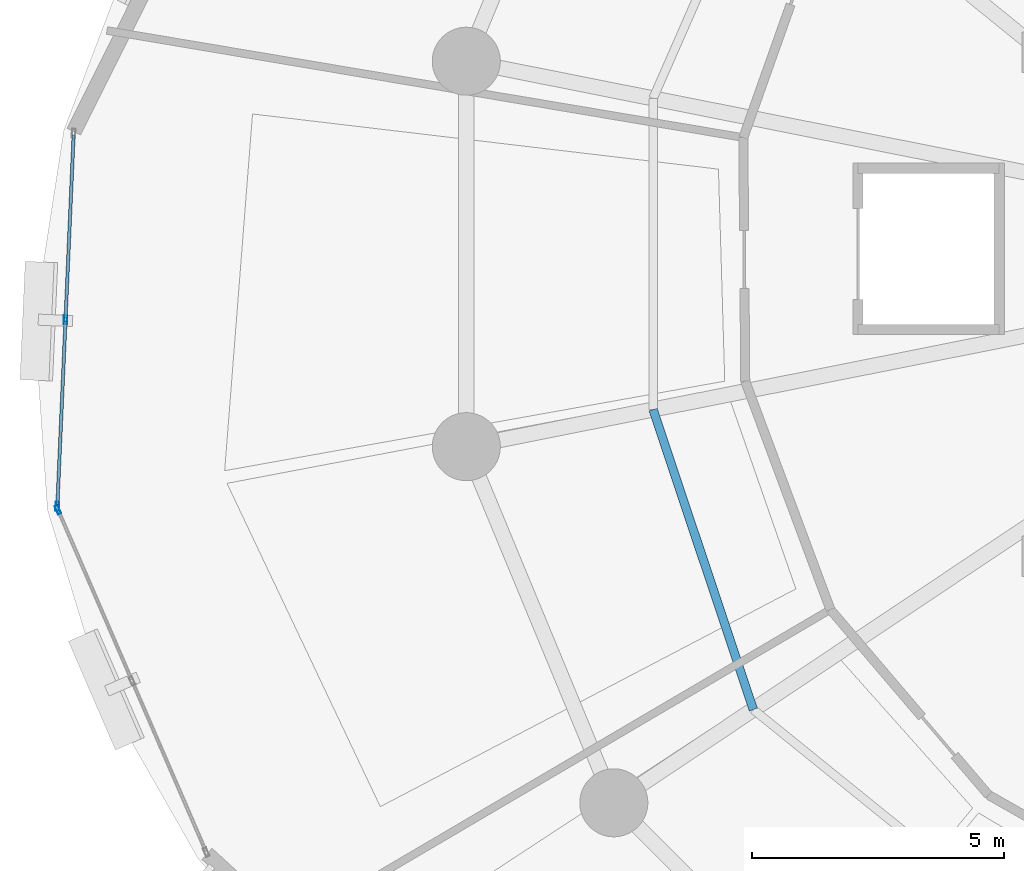
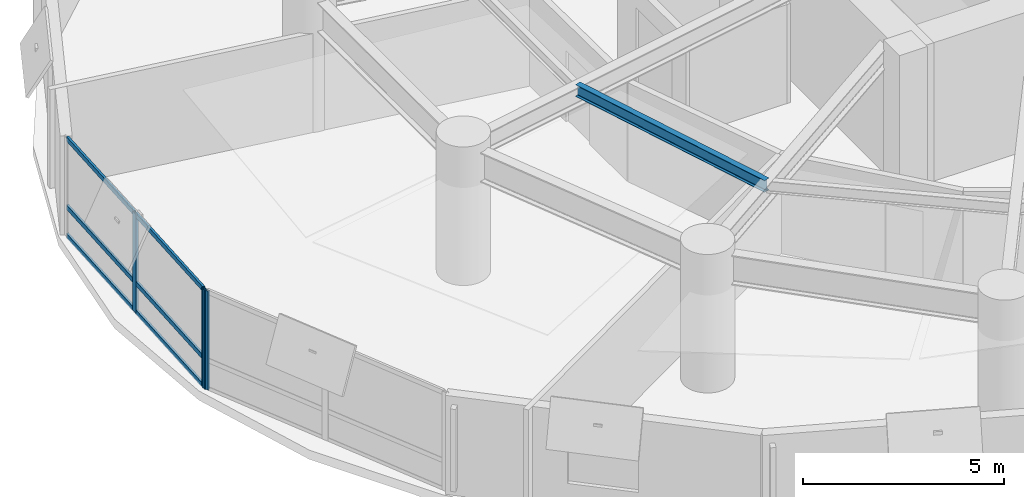
# One storey, part 4 of 17: 9 members, 1 beam, 2 elements without a shape of their own.
"""IFC4 building model written with IfcOpenShell, lengths in metres."""

import ifcopenshell
import ifcopenshell.guid

model = None  # the IFC model being written
_history = None  # IfcOwnerHistory: only IFC2X3 demands one
_inside = {}  # id of a spatial element -> (the spatial element, [elements in it])
_under = {}  # id of a project, library or spatial element -> (it, [spatial elements below it])
_declared = {}  # id of a project -> (the project, [libraries it declares])
_typed = {}  # id of a type object -> (the type object, [elements of that type])
_made_of = {}  # id of a material, layer set ... -> (it, [elements and type objects made of it])


def new_model(schema):
    """Start an empty IFC model of exactly this schema.

    Asked for "IFC4X3", IfcOpenShell would pick the latest addendum, in which some entities
    have other attributes; the version numbers below select the first issue.
    IFC2X3 requires an IfcOwnerHistory on every rooted entity: one is made here for all.
    """
    global model, _history
    if schema == "IFC4X3":
        model = ifcopenshell.file(schema_version=(4, 3, 0, 0))
    else:
        model = ifcopenshell.file(schema=schema)
    _inside.clear()
    _under.clear()
    _declared.clear()
    _typed.clear()
    _made_of.clear()
    _history = None
    if model.schema == "IFC2X3":
        org = make("IfcOrganization", Name="unknown")
        user = make(
            "IfcPersonAndOrganization",
            ThePerson=make("IfcPerson", FamilyName="unknown"),
            TheOrganization=org,
        )
        app = make(
            "IfcApplication",
            ApplicationDeveloper=org,
            Version="unknown",
            ApplicationFullName="unknown",
            ApplicationIdentifier="unknown",
        )
        _history = make(
            "IfcOwnerHistory",
            OwningUser=user,
            OwningApplication=app,
            ChangeAction="ADDED",
            CreationDate=0,
        )
    return model


def make(cls, **values):
    """One entity of the class cls with the attributes given. An attribute that is None is left unset."""
    return model.create_entity(
        cls, **{name: value for name, value in values.items() if value is not None}
    )


def rooted(cls, **values):
    """An entity with a GlobalId (a new one), such as an element, a storey or a relation."""
    return make(cls, GlobalId=ifcopenshell.guid.new(), OwnerHistory=_history, **values)


def si_unit(unit_type, name, prefix=None):
    """IfcSIUnit, for example si_unit("LENGTHUNIT", "METRE", prefix="MILLI")."""
    return make("IfcSIUnit", UnitType=unit_type, Prefix=prefix, Name=name)


def assignment(units):
    """IfcUnitAssignment: the units of a project."""
    return None if units is None else make("IfcUnitAssignment", Units=units)


def point(xyz):
    """IfcCartesianPoint."""
    return None if xyz is None else make("IfcCartesianPoint", Coordinates=xyz)


def direction(xyz):
    """IfcDirection."""
    return None if xyz is None else make("IfcDirection", DirectionRatios=xyz)


def frame(location, z_axis=None, x_axis=None):
    """IfcAxis2Placement3D, a coordinate frame: its origin and axes. An axis left out is left unset."""
    return make(
        "IfcAxis2Placement3D",
        Location=point(location),
        Axis=direction(z_axis),
        RefDirection=direction(x_axis),
    )


def frame_2d(location, x_axis=None):
    """IfcAxis2Placement2D, a coordinate frame in the plane: its origin and x axis."""
    return make(
        "IfcAxis2Placement2D", Location=point(location), RefDirection=direction(x_axis)
    )


def origin():
    """The frame at (0, 0, 0) with its axes left unset."""
    return frame((0.0, 0.0, 0.0))


def origin_2d():
    """The frame at (0, 0) in the plane with its x axis left unset."""
    return frame_2d((0.0, 0.0))


def place(relative_to, where):
    """IfcLocalPlacement: puts the frame where relative to a parent placement (None: the world)."""
    return make(
        "IfcLocalPlacement", PlacementRelTo=relative_to, RelativePlacement=where
    )


def context(
    kind, dimensions, precision=None, world=None, true_north=None, identifier=None
):
    """IfcGeometricRepresentationContext, for example the 3D "Model" context."""
    return make(
        "IfcGeometricRepresentationContext",
        ContextIdentifier=identifier,
        ContextType=kind,
        CoordinateSpaceDimension=dimensions,
        Precision=precision,
        WorldCoordinateSystem=world,
        TrueNorth=true_north,
    )


def subcontext(parent, identifier, kind, view, scale=None):
    """IfcGeometricRepresentationSubContext, for example "Body" below "Model"."""
    return make(
        "IfcGeometricRepresentationSubContext",
        ContextIdentifier=identifier,
        ContextType=kind,
        ParentContext=parent,
        TargetScale=scale,
        TargetView=view,
    )


def project(units=None, contexts=None):
    """IfcProject with its units and contexts."""
    return rooted(
        "IfcProject",
        Name="project",
        RepresentationContexts=contexts,
        UnitsInContext=assignment(units),
    )


def spatial(cls, under=None, at=None, **own):
    """A site, building, storey or space (cls), placed at a placement, below another one or the project."""
    s = rooted(cls, ObjectPlacement=at, **own)
    if under is not None:
        _under.setdefault(under.id(), (under, []))[1].append(s)
    return s


def profile(cls, at=None, kind="AREA", **sizes):
    """A parametric profile (cls). Its sizes go by their IFC names, for example OverallWidth=200.0."""
    return make(cls, ProfileType=kind, Position=at, **sizes)


def hollow_rectangle(**sizes):
    """IfcRectangleHollowProfileDef."""
    return profile("IfcRectangleHollowProfileDef", **sizes)


def i_section(**sizes):
    """IfcIShapeProfileDef."""
    return profile("IfcIShapeProfileDef", **sizes)


def extrude(swept, where, along, depth):
    """IfcExtrudedAreaSolid: the profile swept, set in the frame where, extruded along a direction by depth."""
    return make(
        "IfcExtrudedAreaSolid",
        SweptArea=swept,
        Position=where,
        ExtrudedDirection=direction(along),
        Depth=depth,
    )


def shape(context_of_items, identifier, shape_type, items):
    """IfcShapeRepresentation: the items that make up one representation, for example the "Body"."""
    return make(
        "IfcShapeRepresentation",
        ContextOfItems=context_of_items,
        RepresentationIdentifier=identifier,
        RepresentationType=shape_type,
        Items=items,
    )


def material(Name=None, Category=None):
    """IfcMaterial."""
    return make("IfcMaterial", Name=Name, Category=Category)


def layer(
    of_material, thickness, ventilated=None, Name=None, Category=None, Priority=None
):
    """IfcMaterialLayer: one layer of a wall or slab, of a material (None: an air gap)."""
    return make(
        "IfcMaterialLayer",
        Material=of_material,
        LayerThickness=thickness,
        IsVentilated=ventilated,
        Name=Name,
        Category=Category,
        Priority=Priority,
    )


def layer_set(layers, Name=None):
    """IfcMaterialLayerSet."""
    return make("IfcMaterialLayerSet", MaterialLayers=layers, LayerSetName=Name)


def material_profile(
    of_material, cross_section, Name=None, Category=None, Priority=None
):
    """IfcMaterialProfile: a cross section and its material."""
    return make(
        "IfcMaterialProfile",
        Name=Name,
        Material=of_material,
        Profile=cross_section,
        Priority=Priority,
        Category=Category,
    )


def profile_set(profiles, Name=None, composite=None):
    """IfcMaterialProfileSet."""
    return make(
        "IfcMaterialProfileSet",
        Name=Name,
        MaterialProfiles=profiles,
        CompositeProfile=composite,
    )


def made_of(thing, what):
    """Note that an element or type object is made of a material, layer set ...; save() writes the relation."""
    if what is not None:
        _made_of.setdefault(what.id(), (what, []))[1].append(thing)
    return thing


def type_object(cls, material=None, **own):
    """A type object (cls), such as IfcWallType, which elements share."""
    return made_of(rooted(cls, **own), material)


def element(
    cls,
    number,
    at=None,
    inside=None,
    cuts=None,
    type_object=None,
    material=None,
    context=None,
    identifier="Body",
    shape_type=None,
    held_by="IfcProductDefinitionShape",
    body=None,
    shapes=None,
    **own,
):
    """One element of the class cls, such as IfcWall. Its Tag is "e" and its number.

    at: its placement. inside: the storey or other place that contains it. cuts: it is an
    opening in that element (IfcRelVoidsElement). A single representation is given by context,
    identifier, shape_type and body (its items); several are given by shapes. held_by: the class
    of the entity that holds the representations. save() writes the other relations.
    """
    e = rooted(cls, Tag="e%d" % number, ObjectPlacement=at, **own)
    if body is not None:
        shapes = [shape(context, identifier, shape_type, body)]
    if shapes is not None:
        e.Representation = make(held_by, Representations=shapes)
    if inside is not None:
        _inside.setdefault(inside.id(), (inside, []))[1].append(e)
    if cuts is not None:
        rooted(
            "IfcRelVoidsElement", RelatingBuildingElement=cuts, RelatedOpeningElement=e
        )
    if type_object is not None:
        _typed.setdefault(type_object.id(), (type_object, []))[1].append(e)
    return made_of(e, material)


def aggregate(whole, parts):
    """IfcRelAggregates: a whole, such as a stair, and the parts it consists of."""
    return rooted("IfcRelAggregates", RelatingObject=whole, RelatedObjects=parts)


def save(model, path):
    """Write the relations noted so far, then the file.

    IfcRelAggregates (storeys below a building ...), IfcRelContainedInSpatialStructure (elements
    in a storey), IfcRelDefinesByType, IfcRelAssociatesMaterial and IfcRelDeclares: one each for
    every whole, place, type object, material and project.
    """
    for whole, parts in _under.values():
        aggregate(whole, parts)
    for where, things in _inside.values():
        rooted(
            "IfcRelContainedInSpatialStructure",
            RelatedElements=things,
            RelatingStructure=where,
        )
    for kind, things in _typed.values():
        rooted("IfcRelDefinesByType", RelatedObjects=things, RelatingType=kind)
    for what, things in _made_of.values():
        rooted("IfcRelAssociatesMaterial", RelatedObjects=things, RelatingMaterial=what)
    for by, libraries in _declared.values():
        rooted("IfcRelDeclares", RelatingContext=by, RelatedDefinitions=libraries)
    model.write(path)


model = new_model("IFC4")

# Units and contexts
model_context = context("Model", 3, precision=1e-05, world=origin(), true_north=direction((0.0, 1.0)))
body_context = subcontext(model_context, "Body", "Model", "MODEL_VIEW")
ifc_project = project(units=[si_unit("LENGTHUNIT", "METRE"), si_unit("AREAUNIT", "SQUARE_METRE"), si_unit("VOLUMEUNIT", "CUBIC_METRE"), si_unit("PLANEANGLEUNIT", "RADIAN"), si_unit("MASSUNIT", "GRAM", prefix="KILO"), si_unit("THERMODYNAMICTEMPERATUREUNIT", "KELVIN"), si_unit("POWERUNIT", "WATT")], contexts=[model_context])

# Site, building, storey
site_placement = place(None, origin())
site = spatial("IfcSite", under=ifc_project, at=site_placement, CompositionType="ELEMENT")
building_placement = place(site_placement, origin())
building = spatial("IfcBuilding", under=site, at=building_placement, Name="Ocrelia Relay Tower", CompositionType="ELEMENT")
storey_placement = place(building_placement, frame((0.0, 0.0, 76.199951171875)))
storey = spatial("IfcBuildingStorey", under=building, at=storey_placement, Name="L17", CompositionType="ELEMENT", Elevation=76.199951171875)

# Beam
ifc_material_1 = material(Name="Steel S355", Category="steel")
ifc_material_profile_1 = material_profile(ifc_material_1, i_section(OverallWidth=0.169921875, OverallDepth=0.360107421875, WebThickness=0.008056640625, FlangeThickness=0.0126953125, FilletRadius=0.01806640625, at=origin_2d()), Name="IPE 360")
ifc_profile_set_1 = profile_set([ifc_material_profile_1], Name="Steel S355")
beam_type = type_object("IfcBeamType", Name="BM-IPE360", PredefinedType="JOIST", material=ifc_profile_set_1)
beam_placement = place(storey_placement, frame((18.481689453125, 22.9130859375, 3.739990234375), z_axis=(0.317067865999, -0.948402851298, 0.0), x_axis=(0.948402851298, 0.317067865999, 0.0)))
element("IfcBeam", 1, at=beam_placement, inside=storey, type_object=beam_type, Name="L17 Secondary Floor Joist J09", PredefinedType="JOIST", context=body_context, shape_type="SweptSolid", body=[
    extrude(i_section(OverallWidth=0.169921875, OverallDepth=0.360107421875, WebThickness=0.008056640625, FlangeThickness=0.0126953125, FilletRadius=0.01806640625, at=origin_2d()), origin(), (0.0, 0.0, 1.0), 6.276123046875),
])

# Curtain wall, members
ifc_material_2 = material(Name="Aluminium and solar-control low-E glass", Category="aluminium")
ifc_layer = layer(ifc_material_2, 0.179931640625, Name="Aluminium and solar-control low-E glass")
ifc_layer_set = layer_set([ifc_layer], Name="Aluminium and solar-control low-E glass")
curtain_wall_type = type_object("IfcCurtainWallType", Name="CW-SYS-Z1-DATA", PredefinedType="NOTDEFINED", material=ifc_layer_set)
curtain_wall_1_placement = place(storey_placement, origin())
curtain_wall_1 = element("IfcCurtainWall", 2, at=curtain_wall_1_placement, inside=storey, type_object=curtain_wall_type, Name="L17 Elliptical Tower Curtain Wall Bay 09", PredefinedType="NOTDEFINED")
ifc_material_3 = material(Name="Anodised bronze aluminium", Category="aluminium")
ifc_material_profile_2 = material_profile(ifc_material_3, hollow_rectangle(XDim=0.070068359375, YDim=0.179931640625, WallThickness=0.006103515625, at=origin_2d()), Name="CW-MUL-180x70")
ifc_profile_set_2 = profile_set([ifc_material_profile_2], Name="Anodised bronze aluminium")
member_type_1 = type_object("IfcMemberType", Name="CW-SYS-Z1-DATA-MUL", PredefinedType="MULLION", material=ifc_profile_set_2)
member_1_placement = place(storey_placement, frame((6.82470703125, 24.69189453125, 0.0), z_axis=(0.0, 0.0, 1.0), x_axis=(0.999040470312, -0.04379656013, 0.0)))
member_1 = element("IfcMember", 3, at=member_1_placement, type_object=member_type_1, Name="CW-Z1 mullion 2", PredefinedType="MULLION", context=body_context, shape_type="SweptSolid", body=[
    extrude(hollow_rectangle(XDim=0.070068359375, YDim=0.179931640625, WallThickness=0.006103515625, at=origin_2d()), origin(), (0.0, 0.0, 1.0), 3.0),
])
member_2_placement = place(storey_placement, frame((6.66259765625, 20.99267578125, 0.0), z_axis=(0.0, 0.0, 1.0), x_axis=(0.999040470312, -0.04379656013, 0.0)))
member_2 = element("IfcMember", 4, at=member_2_placement, type_object=member_type_1, Name="CW-Z1 mullion 3", PredefinedType="MULLION", context=body_context, shape_type="SweptSolid", body=[
    extrude(hollow_rectangle(XDim=0.070068359375, YDim=0.179931640625, WallThickness=0.006103515625, at=origin_2d()), origin(), (0.0, 0.0, 1.0), 3.0),
])

# Curtain wall, member
curtain_wall_2_placement = place(storey_placement, origin())
curtain_wall_2 = element("IfcCurtainWall", 5, at=curtain_wall_2_placement, inside=storey, type_object=curtain_wall_type, Name="L17 Elliptical Tower Curtain Wall Bay 10", PredefinedType="NOTDEFINED")
member_3_placement = place(storey_placement, frame((6.675048828125, 20.925537109375, 0.0), z_axis=(0.0, 0.0, 1.0), x_axis=(0.917682954818, 0.397313471249, 0.0)))
member_3 = element("IfcMember", 6, at=member_3_placement, type_object=member_type_1, Name="CW-Z1 mullion 1", PredefinedType="MULLION", context=body_context, shape_type="SweptSolid", body=[
    extrude(hollow_rectangle(XDim=0.070068359375, YDim=0.179931640625, WallThickness=0.006103515625, at=origin_2d()), origin(), (0.0, 0.0, 1.0), 3.0),
])
aggregate(curtain_wall_2, [member_3])

# Member
ifc_material_profile_3 = material_profile(ifc_material_3, hollow_rectangle(XDim=0.06494140625, YDim=0.139892578125, WallThickness=0.0048828125, at=origin_2d()), Name="CW-TRN-140x65")
ifc_profile_set_3 = profile_set([ifc_material_profile_3], Name="Anodised bronze aluminium")
member_type_2 = type_object("IfcMemberType", Name="CW-SYS-Z1-DATA-TRN", PredefinedType="USERDEFINED", material=ifc_profile_set_3)
member_4_placement = place(storey_placement, frame((6.9853515625, 28.35595703125, 0.032470703125), z_axis=(-0.043752210644, -0.999042413546, 0.0), x_axis=(0.999042413546, -0.043752210644, 0.0)))
member_4 = element("IfcMember", 7, at=member_4_placement, type_object=member_type_2, Name="CW-Z1 transom 1.1", ObjectType="TRANSOM", PredefinedType="USERDEFINED", context=body_context, shape_type="SweptSolid", body=[
    extrude(hollow_rectangle(XDim=0.06494140625, YDim=0.139892578125, WallThickness=0.0048828125, at=origin_2d()), origin(), (0.0, 0.0, 1.0), 3.632568359375),
])

member_5_placement = place(storey_placement, frame((6.9853515625, 28.35595703125, 0.900146484375), z_axis=(-0.043752210644, -0.999042413546, 0.0), x_axis=(0.999042413546, -0.043752210644, 0.0)))
member_5 = element("IfcMember", 8, at=member_5_placement, type_object=member_type_2, Name="CW-Z1 transom 1.2", ObjectType="TRANSOM", PredefinedType="USERDEFINED", context=body_context, shape_type="SweptSolid", body=[
    extrude(hollow_rectangle(XDim=0.06494140625, YDim=0.139892578125, WallThickness=0.0048828125, at=origin_2d()), origin(), (0.0, 0.0, 1.0), 3.632568359375),
])

member_6_placement = place(storey_placement, frame((6.9853515625, 28.35595703125, 2.967529296875), z_axis=(-0.043752210644, -0.999042413546, 0.0), x_axis=(0.999042413546, -0.043752210644, 0.0)))
member_6 = element("IfcMember", 9, at=member_6_placement, type_object=member_type_2, Name="CW-Z1 transom 1.3", ObjectType="TRANSOM", PredefinedType="USERDEFINED", context=body_context, shape_type="SweptSolid", body=[
    extrude(hollow_rectangle(XDim=0.06494140625, YDim=0.139892578125, WallThickness=0.0048828125, at=origin_2d()), origin(), (0.0, 0.0, 1.0), 3.632568359375),
])

member_7_placement = place(storey_placement, frame((6.8232421875, 24.656982421875, 0.032470703125), z_axis=(-0.043816347433, -0.999039602667, 0.0), x_axis=(0.999039602667, -0.043816347433, 0.0)))
member_7 = element("IfcMember", 10, at=member_7_placement, type_object=member_type_2, Name="CW-Z1 transom 2.1", ObjectType="TRANSOM", PredefinedType="USERDEFINED", context=body_context, shape_type="SweptSolid", body=[
    extrude(hollow_rectangle(XDim=0.06494140625, YDim=0.139892578125, WallThickness=0.0048828125, at=origin_2d()), origin(), (0.0, 0.0, 1.0), 3.6328125),
])

member_8_placement = place(storey_placement, frame((6.8232421875, 24.656982421875, 0.900146484375), z_axis=(-0.043816347433, -0.999039602667, 0.0), x_axis=(0.999039602667, -0.043816347433, 0.0)))
member_8 = element("IfcMember", 11, at=member_8_placement, type_object=member_type_2, Name="CW-Z1 transom 2.2", ObjectType="TRANSOM", PredefinedType="USERDEFINED", context=body_context, shape_type="SweptSolid", body=[
    extrude(hollow_rectangle(XDim=0.06494140625, YDim=0.139892578125, WallThickness=0.0048828125, at=origin_2d()), origin(), (0.0, 0.0, 1.0), 3.6328125),
])

member_9_placement = place(storey_placement, frame((6.8232421875, 24.656982421875, 2.967529296875), z_axis=(-0.043816347433, -0.999039602667, 0.0), x_axis=(0.999039602667, -0.043816347433, 0.0)))
member_9 = element("IfcMember", 12, at=member_9_placement, type_object=member_type_2, Name="CW-Z1 transom 2.3", ObjectType="TRANSOM", PredefinedType="USERDEFINED", context=body_context, shape_type="SweptSolid", body=[
    extrude(hollow_rectangle(XDim=0.06494140625, YDim=0.139892578125, WallThickness=0.0048828125, at=origin_2d()), origin(), (0.0, 0.0, 1.0), 3.6328125),
])

aggregate(curtain_wall_1, [member_1, member_2, member_4, member_5, member_6, member_7, member_8, member_9])

save(model, "model.ifc")
